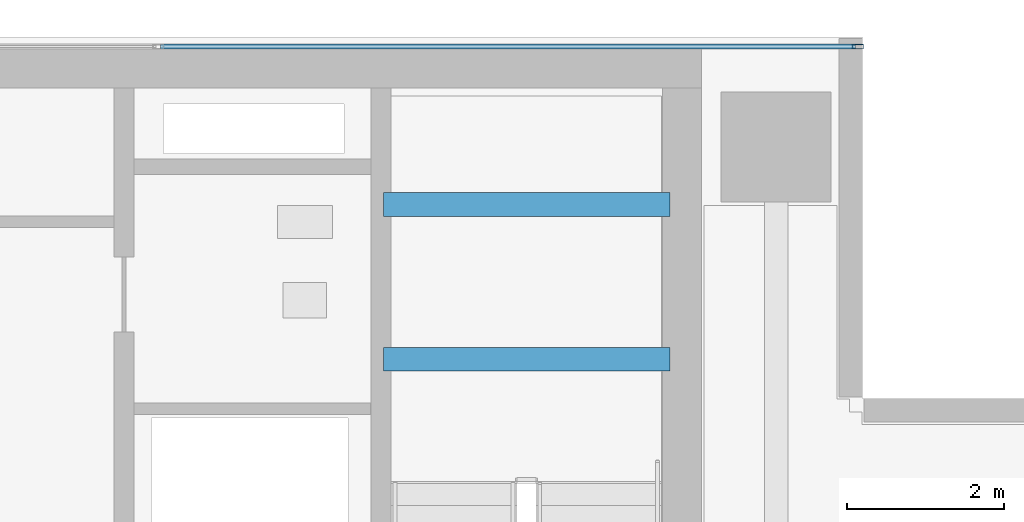
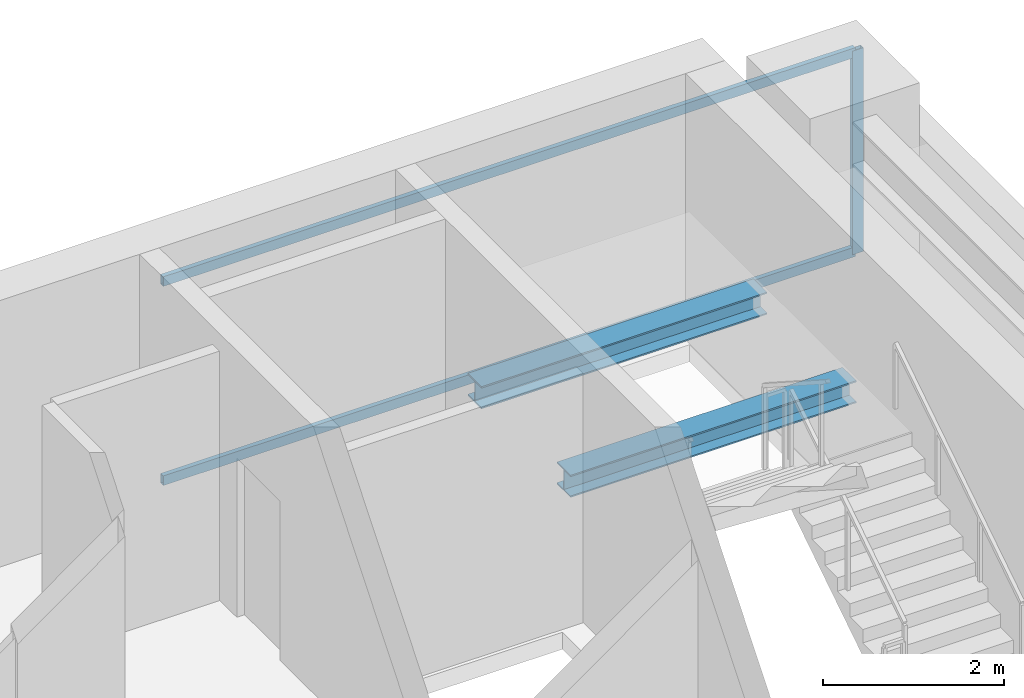
# One storey, part 18 of 26: 3 members, 2 beams, 1 element without a shape of its own.
"""IFC4 building model written with IfcOpenShell, lengths in metres."""

from ifc_helpers import new_model, si_unit, direction, frame, origin, origin_2d, place, context, subcontext, project, spatial, hollow_rectangle, i_section, extrude, source, transform, mapped, material, layer, layer_set, material_profile, profile_set, type_object, element, aggregate, save


model = new_model("IFC4")

# Units and contexts
model_context = context("Model", 3, precision=1e-05, world=origin(), true_north=direction((0.0, 1.0)))
body_context = subcontext(model_context, "Body", "Model", "MODEL_VIEW")
ifc_project = project(units=[si_unit("LENGTHUNIT", "METRE"), si_unit("AREAUNIT", "SQUARE_METRE"), si_unit("VOLUMEUNIT", "CUBIC_METRE"), si_unit("PLANEANGLEUNIT", "RADIAN"), si_unit("MASSUNIT", "GRAM", prefix="KILO")], contexts=[model_context])

# Site, building, storey
site_placement = place(None, origin())
site = spatial("IfcSite", under=ifc_project, at=site_placement, CompositionType="ELEMENT")
building_placement = place(site_placement, origin())
building = spatial("IfcBuilding", under=site, at=building_placement, Name="Sumidabori Civic Tower", CompositionType="ELEMENT")
storey_placement = place(building_placement, frame((0.0, 0.0, 254.0)))
storey = spatial("IfcBuildingStorey", under=building, at=storey_placement, Name="L66", CompositionType="ELEMENT", Elevation=254.0)

# Beams
ifc_material_1 = material(Name="Steel SN490", Category="steel")
ifc_material_profile_1 = material_profile(ifc_material_1, i_section(OverallWidth=0.300048828125, OverallDepth=0.300048828125, WebThickness=0.010986328125, FlangeThickness=0.01904296875, at=origin_2d()), Name="HE 300 B")
ifc_profile_set_1 = profile_set([ifc_material_profile_1], Name="Steel SN490")
beam_type = type_object("IfcBeamType", Name="BM-LDG-300", PredefinedType="BEAM", material=ifc_profile_set_1)
shared_shape_1 = source(origin(), body_context, "Body", "SweptSolid", [
    extrude(i_section(OverallWidth=0.300048828125, OverallDepth=0.300048828125, WebThickness=0.010986328125, FlangeThickness=0.01904296875, at=origin_2d()), origin(), (0.0, 0.0, 1.0), 3.64990234375),
])
for number, where, z_axis, x_axis, name in (
    (1, (11.800048828125, 20.09765625, 1.449951171875), (1.0, 0.0, 0.0), (0.0, 1.0, 0.0), "Stair ST-2 Landing Support Beam L66-1A"),
    (2, (11.800048828125, 22.069580078125, 1.449951171875), (1.0, 0.0, 0.0), (0.0, 1.0, 0.0), "Stair ST-2 Landing Trimmer Beam L66-1B"),
):
    element("IfcBeam", number, at=place(storey_placement, frame(where, z_axis=z_axis, x_axis=x_axis)), inside=storey, type_object=beam_type, Name=name, PredefinedType="BEAM", context=body_context, shape_type="MappedRepresentation", body=[
        mapped(shared_shape_1, transform((0.0, 0.0, 0.0), x_axis=(1.0, 0.0, 0.0), y_axis=(0.0, 1.0, 0.0), z_axis=(0.0, 0.0, 1.0), scale=1.0)),
    ])

# Curtain wall, members
ifc_material_2 = material(Name="Anodised Bronze Aluminium AW-6063-T6", Category="aluminium")
ifc_layer = layer(ifc_material_2, 0.179931640625, Name="Anodised Bronze Aluminium AW-6063-T6")
ifc_layer_set = layer_set([ifc_layer], Name="Anodised Bronze Aluminium AW-6063-T6")
curtain_wall_type = type_object("IfcCurtainWallType", Name="CW-SYS-5", PredefinedType="NOTDEFINED", material=ifc_layer_set)
curtain_wall_placement = place(storey_placement, origin())
curtain_wall = element("IfcCurtainWall", 3, at=curtain_wall_placement, inside=storey, type_object=curtain_wall_type, Name="Curtain Wall CW:L66:R07", PredefinedType="NOTDEFINED")
ifc_material_profile_2 = material_profile(ifc_material_2, hollow_rectangle(XDim=0.06005859375, YDim=0.139892578125, WallThickness=0.0048828125, at=origin_2d()), Name="ALU MULLION 140x60")
ifc_profile_set_2 = profile_set([ifc_material_profile_2], Name="Anodised Bronze Aluminium AW-6063-T6")
member_type_1 = type_object("IfcMemberType", Name="CW-MUL-140", PredefinedType="MULLION", material=ifc_profile_set_2)
shared_shape_2 = source(origin(), body_context, "Body", "SweptSolid", [
    extrude(hollow_rectangle(XDim=0.06005859375, YDim=0.139892578125, WallThickness=0.0048828125, at=origin_2d()), origin(), (0.0, 0.0, 1.0), 2.75),
])
member_1_placement = place(storey_placement, frame((17.840087890625, 24.080078125, 0.0), z_axis=(0.0, 0.0, 1.0), x_axis=(0.0, -1.0, 0.0)))
member_1 = element("IfcMember", 4, at=member_1_placement, type_object=member_type_1, Name="CW-5 mullion 1", PredefinedType="MULLION", context=body_context, shape_type="MappedRepresentation", body=[
    mapped(shared_shape_2, transform((0.0, 0.0, 0.0), x_axis=(1.0, 0.0, 0.0), y_axis=(0.0, 1.0, 0.0), z_axis=(0.0, 0.0, 1.0), scale=1.0)),
])
ifc_material_profile_3 = material_profile(ifc_material_2, hollow_rectangle(XDim=0.06005859375, YDim=0.1298828125, WallThickness=0.0048828125, at=origin_2d()), Name="ALU TRANSOM 130x60")
ifc_profile_set_3 = profile_set([ifc_material_profile_3], Name="Anodised Bronze Aluminium AW-6063-T6")
member_type_2 = type_object("IfcMemberType", Name="CW-TRN-130", PredefinedType="USERDEFINED", material=ifc_profile_set_3)
shared_shape_3 = source(origin(), body_context, "Body", "SweptSolid", [
    extrude(hollow_rectangle(XDim=0.06005859375, YDim=0.1298828125, WallThickness=0.0048828125, at=origin_2d()), origin(), (0.0, 0.0, 1.0), 8.844970703125),
])
member_2_placement = place(storey_placement, frame((17.81005859375, 24.080078125, 0.030029296875), z_axis=(-1.0, 0.0, 0.0), x_axis=(0.0, -1.0, 0.0)))
member_2 = element("IfcMember", 5, at=member_2_placement, type_object=member_type_2, Name="CW-5 transom 1.1", ObjectType="TRANSOM", PredefinedType="USERDEFINED", context=body_context, shape_type="MappedRepresentation", body=[
    mapped(shared_shape_3, transform((0.0, 0.0, 0.0), x_axis=(1.0, 0.0, 0.0), y_axis=(0.0, 1.0, 0.0), z_axis=(0.0, 0.0, 1.0), scale=1.0)),
])
member_3_placement = place(storey_placement, frame((17.81005859375, 24.080078125, 2.719970703125), z_axis=(-1.0, 0.0, 0.0), x_axis=(0.0, -1.0, 0.0)))
member_3 = element("IfcMember", 6, at=member_3_placement, type_object=member_type_2, Name="CW-5 transom 1.2", ObjectType="TRANSOM", PredefinedType="USERDEFINED", context=body_context, shape_type="MappedRepresentation", body=[
    mapped(shared_shape_3, transform((0.0, 0.0, 0.0), x_axis=(1.0, 0.0, 0.0), y_axis=(0.0, 1.0, 0.0), z_axis=(0.0, 0.0, 1.0), scale=1.0)),
])
aggregate(curtain_wall, [member_1, member_2, member_3])

save(model, "model.ifc")
